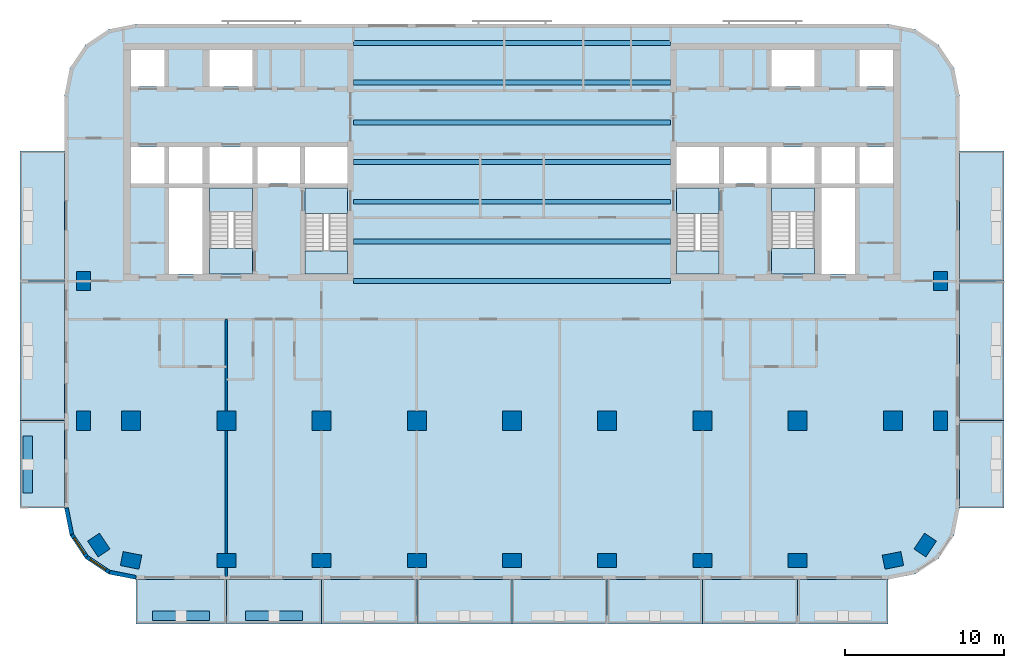
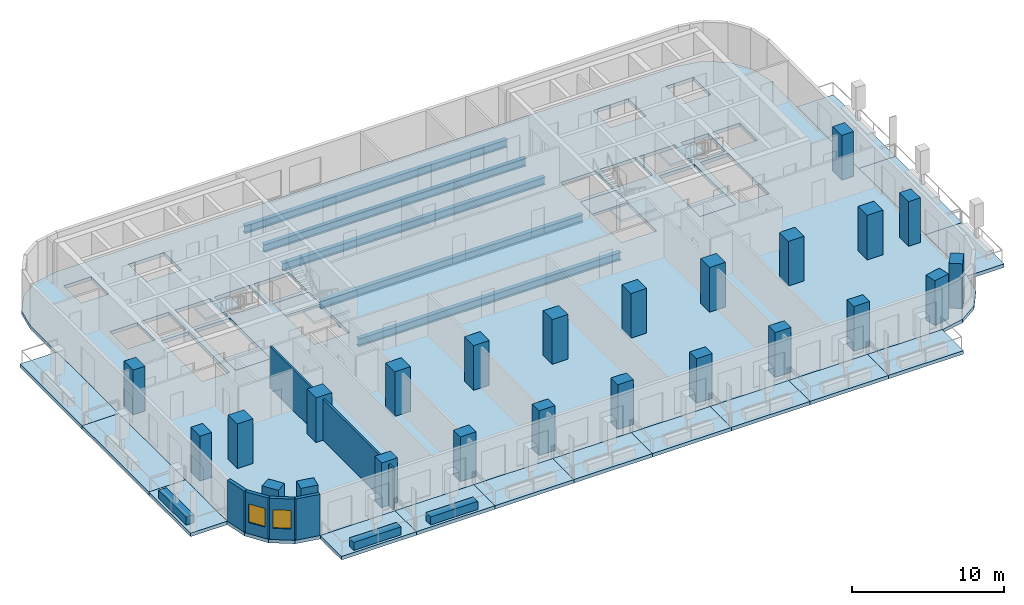
# One storey, part 1 of 11: 24 columns, 23 slabs, 8 walls, 7 beams, 2 windows, 2 openings, 4 elements without a shape of their own.
"""IFC4 building model written with IfcOpenShell, lengths in metres."""

from ifc_helpers import new_model, si_unit, direction, frame, frame_2d, origin, origin_2d, place, context, subcontext, project, spatial, polyline, rectangle, i_section, outline, extrude, material, layer, layer_set, material_profile, profile_set, type_object, element, fill, aggregate, save


model = new_model("IFC4")

# Units and contexts
model_context = context("Model", 3, precision=1e-05, world=origin(), true_north=direction((0.0, 1.0)))
body_context = subcontext(model_context, "Body", "Model", "MODEL_VIEW")
ifc_project = project(units=[si_unit("LENGTHUNIT", "METRE"), si_unit("AREAUNIT", "SQUARE_METRE"), si_unit("VOLUMEUNIT", "CUBIC_METRE"), si_unit("PLANEANGLEUNIT", "RADIAN"), si_unit("MASSUNIT", "GRAM", prefix="KILO")], contexts=[model_context])

# Site, building, storey
site_placement = place(None, origin())
site = spatial("IfcSite", under=ifc_project, at=site_placement, CompositionType="ELEMENT")
building_placement = place(site_placement, origin())
building = spatial("IfcBuilding", under=site, at=building_placement, Name="Torana Hotel and Residences", CompositionType="ELEMENT")
storey_placement = place(building_placement, frame((0.0, 0.0, 134.39990234375)))
storey = spatial("IfcBuildingStorey", under=building, at=storey_placement, Name="L34", CompositionType="ELEMENT", Elevation=134.39990234375)

# Columns
ifc_material_1 = material(Name="Concrete C70/85", Category="concrete")
ifc_material_profile_1 = material_profile(ifc_material_1, rectangle(XDim=1.199951171875, YDim=1.199951171875, at=origin_2d()), Name="RC 1200x1200")
ifc_profile_set_1 = profile_set([ifc_material_profile_1], Name="Concrete C70/85")
column_type_1 = type_object("IfcColumnType", Name="COLUMN RC 1200x1200 C70/85", PredefinedType="COLUMN", material=ifc_profile_set_1)
for number, where, z_axis, x_axis, name in (
    (1, (-24.0, -23.800048828125, 0.0), (0.0, 0.0, 1.0), (1.0, 0.0, 0.0), "Column L34"),
    (2, (-18.0, -23.800048828125, 0.0), (0.0, 0.0, 1.0), (1.0, 0.0, 0.0), "Column L34"),
    (3, (-12.0, -23.800048828125, 0.0), (0.0, 0.0, 1.0), (1.0, 0.0, 0.0), "Column L34"),
    (4, (-6.0, -23.800048828125, 0.0), (0.0, 0.0, 1.0), (1.0, 0.0, 0.0), "Column L34"),
    (5, (0.0, -23.800048828125, 0.0), (0.0, 0.0, 1.0), (1.0, 0.0, 0.0), "Column L34"),
    (6, (6.0, -23.800048828125, 0.0), (0.0, 0.0, 1.0), (1.0, 0.0, 0.0), "Column L34"),
    (7, (12.0, -23.800048828125, 0.0), (0.0, 0.0, 1.0), (1.0, 0.0, 0.0), "Column L34"),
    (8, (18.0, -23.800048828125, 0.0), (0.0, 0.0, 1.0), (1.0, 0.0, 0.0), "Column L34"),
    (9, (24.0, -23.800048828125, 0.0), (0.0, 0.0, 1.0), (1.0, 0.0, 0.0), "Column L34"),
):
    element("IfcColumn", number, at=place(storey_placement, frame(where, z_axis=z_axis, x_axis=x_axis)), inside=storey, type_object=column_type_1, Name=name, PredefinedType="COLUMN", context=body_context, shape_type="SweptSolid", body=[
        extrude(rectangle(XDim=1.199951171875, YDim=1.199951171875, at=origin_2d()), origin(), (0.0, 0.0, 1.0), 3.60009765625),
    ])
ifc_material_2 = material(Name="Concrete C70/85", Category="concrete")
ifc_material_profile_2 = material_profile(ifc_material_2, rectangle(XDim=1.199951171875, YDim=0.89990234375, at=origin_2d()), Name="RC 1200x900")
ifc_profile_set_2 = profile_set([ifc_material_profile_2], Name="Concrete C70/85")
column_type_2 = type_object("IfcColumnType", Name="COLUMN RC 1200x900 C70/85", PredefinedType="COLUMN", material=ifc_profile_set_2)
for number, where, z_axis, x_axis, name in (
    (10, (-27.0, -23.800048828125, 0.0), (0.0, 0.0, 1.0), (0.0, 1.0, 0.0), "Column L34"),
    (11, (-27.0, -15.0, 0.0), (0.0, 0.0, 1.0), (0.0, 1.0, 0.0), "Column L34"),
    (12, (-26.032958984375, -31.633056640625, 0.0), (0.0, 0.0, 1.0), (-0.555584744817, 0.831459915646, 0.0), "Column L34"),
    (13, (-24.0, -32.60009765625, 0.0), (0.0, 0.0, 1.0), (-0.980792089743, 0.195056086032, 0.0), "Column L34"),
    (14, (-18.0, -32.60009765625, 0.0), (0.0, 0.0, 1.0), (1.0, 0.0, 0.0), "Column L34"),
    (15, (-12.0, -32.60009765625, 0.0), (0.0, 0.0, 1.0), (1.0, 0.0, 0.0), "Column L34"),
    (16, (-6.0, -32.60009765625, 0.0), (0.0, 0.0, 1.0), (1.0, 0.0, 0.0), "Column L34"),
    (17, (0.0, -32.60009765625, 0.0), (0.0, 0.0, 1.0), (1.0, 0.0, 0.0), "Column L34"),
    (18, (6.0, -32.60009765625, 0.0), (0.0, 0.0, 1.0), (1.0, 0.0, 0.0), "Column L34"),
    (19, (12.0, -32.60009765625, 0.0), (0.0, 0.0, 1.0), (1.0, 0.0, 0.0), "Column L34"),
    (20, (18.0, -32.60009765625, 0.0), (0.0, 0.0, 1.0), (1.0, 0.0, 0.0), "Column L34"),
    (21, (24.0, -32.60009765625, 0.0), (0.0, 0.0, 1.0), (0.980792089743, 0.195056086032, 0.0), "Column L34"),
    (22, (26.032958984375, -31.633056640625, 0.0), (0.0, 0.0, 1.0), (0.555584744817, 0.831459915646, 0.0), "Column L34"),
    (23, (27.0, -23.800048828125, 0.0), (0.0, 0.0, 1.0), (0.0, 1.0, 0.0), "Column L34"),
    (24, (27.0, -15.0, 0.0), (0.0, 0.0, 1.0), (0.0, 1.0, 0.0), "Column L34"),
):
    element("IfcColumn", number, at=place(storey_placement, frame(where, z_axis=z_axis, x_axis=x_axis)), inside=storey, type_object=column_type_2, Name=name, PredefinedType="COLUMN", context=body_context, shape_type="SweptSolid", body=[
        extrude(rectangle(XDim=1.199951171875, YDim=0.89990234375, at=origin_2d()), origin(), (0.0, 0.0, 1.0), 3.60009765625),
    ])

# Beams
ifc_material_3 = material(Name="Steel S355", Category="steel")
ifc_material_profile_3 = material_profile(ifc_material_3, i_section(OverallWidth=0.311279296875, OverallDepth=0.6357421875, WebThickness=0.018310546875, FlangeThickness=0.031494140625, FilletRadius=0.0166015625, at=origin_2d()), Name="610x305x238 UB")
ifc_profile_set_3 = profile_set([ifc_material_profile_3], Name="Steel S355")
beam_type = type_object("IfcBeamType", Name="STEEL GIRDER 610x305x238 UB", PredefinedType="BEAM", material=ifc_profile_set_3)
for number, where, z_axis, x_axis, name in (
    (25, (-10.0, -15.0, -0.597900390625), (1.0, 0.0, 0.0), (0.0, 1.0, 0.0), "Floor girder"),
    (26, (-10.0, -12.5, -0.597900390625), (1.0, 0.0, 0.0), (0.0, 1.0, 0.0), "Floor girder"),
    (27, (-10.0, -10.0, -0.597900390625), (1.0, 0.0, 0.0), (0.0, 1.0, 0.0), "Floor girder"),
    (28, (-10.0, -7.5, -0.597900390625), (1.0, 0.0, 0.0), (0.0, 1.0, 0.0), "Floor girder"),
    (29, (-10.0, -5.0, -0.597900390625), (1.0, 0.0, 0.0), (0.0, 1.0, 0.0), "Floor girder"),
    (30, (-10.0, -2.5, -0.597900390625), (1.0, 0.0, 0.0), (0.0, 1.0, 0.0), "Floor girder"),
    (31, (-10.0, 0.0, -0.597900390625), (1.0, 0.0, 0.0), (0.0, 1.0, 0.0), "Floor girder"),
):
    element("IfcBeam", number, at=place(storey_placement, frame(where, z_axis=z_axis, x_axis=x_axis)), inside=storey, type_object=beam_type, Name=name, PredefinedType="BEAM", context=body_context, shape_type="SweptSolid", body=[
        extrude(i_section(OverallWidth=0.311279296875, OverallDepth=0.6357421875, WebThickness=0.018310546875, FlangeThickness=0.031494140625, FilletRadius=0.0166015625, at=origin_2d()), origin(), (0.0, 0.0, 1.0), 20.0),
    ])

# Slabs
ifc_material_4 = material(Name="Concrete C40/50", Category="concrete")
ifc_layer_1 = layer(ifc_material_4, 0.280029296875)
ifc_layer_set_1 = layer_set([ifc_layer_1], Name="BAL1 BALCONY SLAB 280")
slab_type_1 = type_object("IfcSlabType", Name="BAL1 BALCONY SLAB 280", PredefinedType="USERDEFINED", material=ifc_layer_set_1)
slab_1_placement = place(storey_placement, frame((0.0, 0.0, -0.27978515625)))
element("IfcSlab", 32, at=slab_1_placement, inside=storey, type_object=slab_type_1, Name="Balcony 01", ObjectType="BALCONY", PredefinedType="USERDEFINED", context=body_context, shape_type="SweptSolid", body=[
    extrude(outline(polyline([(-23.699951171875, -36.60009765625), (-18.0, -36.60009765625), (-18.0, -33.800048828125), (-23.699951171875, -33.800048828125), (-23.699951171875, -36.60009765625)])), origin(), (0.0, 0.0, 1.0), 0.27978515625),
])
slab_2_placement = place(storey_placement, frame((0.0, 0.0, -0.27978515625)))
element("IfcSlab", 33, at=slab_2_placement, inside=storey, type_object=slab_type_1, Name="Balcony 02", ObjectType="BALCONY", PredefinedType="USERDEFINED", context=body_context, shape_type="SweptSolid", body=[
    extrude(outline(polyline([(-18.0, -36.60009765625), (-12.0, -36.60009765625), (-12.0, -33.800048828125), (-18.0, -33.800048828125), (-18.0, -36.60009765625)])), origin(), (0.0, 0.0, 1.0), 0.27978515625),
])
slab_3_placement = place(storey_placement, frame((0.0, 0.0, -0.27978515625)))
element("IfcSlab", 34, at=slab_3_placement, inside=storey, type_object=slab_type_1, Name="Balcony 03", ObjectType="BALCONY", PredefinedType="USERDEFINED", context=body_context, shape_type="SweptSolid", body=[
    extrude(outline(polyline([(-12.0, -36.60009765625), (-6.0, -36.60009765625), (-6.0, -33.800048828125), (-12.0, -33.800048828125), (-12.0, -36.60009765625)])), origin(), (0.0, 0.0, 1.0), 0.27978515625),
])
slab_4_placement = place(storey_placement, frame((0.0, 0.0, -0.27978515625)))
element("IfcSlab", 35, at=slab_4_placement, inside=storey, type_object=slab_type_1, Name="Balcony 04", ObjectType="BALCONY", PredefinedType="USERDEFINED", context=body_context, shape_type="SweptSolid", body=[
    extrude(outline(polyline([(-6.0, -36.60009765625), (0.0, -36.60009765625), (0.0, -33.800048828125), (-6.0, -33.800048828125), (-6.0, -36.60009765625)])), origin(), (0.0, 0.0, 1.0), 0.27978515625),
])
slab_5_placement = place(storey_placement, frame((0.0, 0.0, -0.27978515625)))
element("IfcSlab", 36, at=slab_5_placement, inside=storey, type_object=slab_type_1, Name="Balcony 05", ObjectType="BALCONY", PredefinedType="USERDEFINED", context=body_context, shape_type="SweptSolid", body=[
    extrude(outline(polyline([(0.0, -36.60009765625), (6.0, -36.60009765625), (6.0, -33.800048828125), (0.0, -33.800048828125), (0.0, -36.60009765625)])), origin(), (0.0, 0.0, 1.0), 0.27978515625),
])
slab_6_placement = place(storey_placement, frame((0.0, 0.0, -0.27978515625)))
element("IfcSlab", 37, at=slab_6_placement, inside=storey, type_object=slab_type_1, Name="Balcony 06", ObjectType="BALCONY", PredefinedType="USERDEFINED", context=body_context, shape_type="SweptSolid", body=[
    extrude(outline(polyline([(6.0, -36.60009765625), (12.0, -36.60009765625), (12.0, -33.800048828125), (6.0, -33.800048828125), (6.0, -36.60009765625)])), origin(), (0.0, 0.0, 1.0), 0.27978515625),
])
slab_7_placement = place(storey_placement, frame((0.0, 0.0, -0.27978515625)))
element("IfcSlab", 38, at=slab_7_placement, inside=storey, type_object=slab_type_1, Name="Balcony 07", ObjectType="BALCONY", PredefinedType="USERDEFINED", context=body_context, shape_type="SweptSolid", body=[
    extrude(outline(polyline([(12.0, -36.60009765625), (18.0, -36.60009765625), (18.0, -33.800048828125), (12.0, -33.800048828125), (12.0, -36.60009765625)])), origin(), (0.0, 0.0, 1.0), 0.27978515625),
])
slab_8_placement = place(storey_placement, frame((0.0, 0.0, -0.27978515625)))
element("IfcSlab", 39, at=slab_8_placement, inside=storey, type_object=slab_type_1, Name="Balcony 08", ObjectType="BALCONY", PredefinedType="USERDEFINED", context=body_context, shape_type="SweptSolid", body=[
    extrude(outline(polyline([(18.0, -36.60009765625), (23.699951171875, -36.60009765625), (23.699951171875, -33.800048828125), (18.0, -33.800048828125), (18.0, -36.60009765625)])), origin(), (0.0, 0.0, 1.0), 0.27978515625),
])
slab_9_placement = place(storey_placement, frame((0.0, 0.0, -0.27978515625)))
element("IfcSlab", 40, at=slab_9_placement, inside=storey, type_object=slab_type_1, Name="Balcony 09", ObjectType="BALCONY", PredefinedType="USERDEFINED", context=body_context, shape_type="SweptSolid", body=[
    extrude(outline(polyline([(-31.0, -29.300048828125), (-28.199951171875, -29.300048828125), (-28.199951171875, -23.800048828125), (-31.0, -23.800048828125), (-31.0, -29.300048828125)])), origin(), (0.0, 0.0, 1.0), 0.27978515625),
])
slab_10_placement = place(storey_placement, frame((0.0, 0.0, -0.27978515625)))
element("IfcSlab", 41, at=slab_10_placement, inside=storey, type_object=slab_type_1, Name="Balcony 10", ObjectType="BALCONY", PredefinedType="USERDEFINED", context=body_context, shape_type="SweptSolid", body=[
    extrude(outline(polyline([(-31.0, -23.800048828125), (-28.199951171875, -23.800048828125), (-28.199951171875, -15.0), (-31.0, -15.0), (-31.0, -23.800048828125)])), origin(), (0.0, 0.0, 1.0), 0.27978515625),
])
slab_11_placement = place(storey_placement, frame((0.0, 0.0, -0.27978515625)))
element("IfcSlab", 42, at=slab_11_placement, inside=storey, type_object=slab_type_1, Name="Balcony 11", ObjectType="BALCONY", PredefinedType="USERDEFINED", context=body_context, shape_type="SweptSolid", body=[
    extrude(outline(polyline([(-31.0, -15.0), (-28.199951171875, -15.0), (-28.199951171875, -6.800048828125), (-31.0, -6.800048828125), (-31.0, -15.0)])), origin(), (0.0, 0.0, 1.0), 0.27978515625),
])
slab_12_placement = place(storey_placement, frame((0.0, 0.0, -0.27978515625)))
element("IfcSlab", 43, at=slab_12_placement, inside=storey, type_object=slab_type_1, Name="Balcony 12", ObjectType="BALCONY", PredefinedType="USERDEFINED", context=body_context, shape_type="SweptSolid", body=[
    extrude(outline(polyline([(28.199951171875, -29.300048828125), (31.0, -29.300048828125), (31.0, -23.800048828125), (28.199951171875, -23.800048828125), (28.199951171875, -29.300048828125)])), origin(), (0.0, 0.0, 1.0), 0.27978515625),
])
slab_13_placement = place(storey_placement, frame((0.0, 0.0, -0.27978515625)))
element("IfcSlab", 44, at=slab_13_placement, inside=storey, type_object=slab_type_1, Name="Balcony 13", ObjectType="BALCONY", PredefinedType="USERDEFINED", context=body_context, shape_type="SweptSolid", body=[
    extrude(outline(polyline([(28.199951171875, -23.800048828125), (31.0, -23.800048828125), (31.0, -15.0), (28.199951171875, -15.0), (28.199951171875, -23.800048828125)])), origin(), (0.0, 0.0, 1.0), 0.27978515625),
])
slab_14_placement = place(storey_placement, frame((0.0, 0.0, -0.27978515625)))
element("IfcSlab", 45, at=slab_14_placement, inside=storey, type_object=slab_type_1, Name="Balcony 14", ObjectType="BALCONY", PredefinedType="USERDEFINED", context=body_context, shape_type="SweptSolid", body=[
    extrude(outline(polyline([(28.199951171875, -15.0), (31.0, -15.0), (31.0, -6.800048828125), (28.199951171875, -6.800048828125), (28.199951171875, -15.0)])), origin(), (0.0, 0.0, 1.0), 0.27978515625),
])
ifc_material_5 = material(Name="Concrete C40/50", Category="concrete")
ifc_layer_2 = layer(ifc_material_5, 0.280029296875)
ifc_layer_set_2 = layer_set([ifc_layer_2], Name="FLOOR SLAB PT 280")
slab_type_2 = type_object("IfcSlabType", Name="FLOOR SLAB PT 280", PredefinedType="FLOOR", material=ifc_layer_set_2)
slab_15_placement = place(storey_placement, frame((0.0, 0.0, -0.27978515625)))
element("IfcSlab", 46, at=slab_15_placement, inside=storey, type_object=slab_type_2, Name="Floor slab", PredefinedType="FLOOR", context=body_context, shape_type="SweptSolid", body=[
    extrude(outline(polyline([(28.199951171875, -3.300048828125), (27.857421875, -1.577880859375), (26.882080078125, -0.117919921875), (25.422119140625, 0.857421875), (23.699951171875, 1.199951171875), (-23.699951171875, 1.199951171875), (-25.422119140625, 0.857421875), (-26.882080078125, -0.117919921875), (-27.857421875, -1.577880859375), (-28.199951171875, -3.300048828125), (-28.199951171875, -29.300048828125), (-27.857421875, -31.022216796875), (-26.882080078125, -32.48193359375), (-25.422119140625, -33.45751953125), (-23.699951171875, -33.800048828125), (23.699951171875, -33.800048828125), (25.422119140625, -33.45751953125), (26.882080078125, -32.48193359375), (27.857421875, -31.022216796875), (28.199951171875, -29.300048828125), (28.199951171875, -3.300048828125)]), holes=[polyline([(-13.050048828125, -14.550048828125), (-10.35009765625, -14.550048828125), (-10.35009765625, -9.14990234375), (-13.050048828125, -9.14990234375), (-13.050048828125, -14.550048828125)]), polyline([(-19.050048828125, -14.550048828125), (-16.35009765625, -14.550048828125), (-16.35009765625, -9.14990234375), (-19.050048828125, -9.14990234375), (-19.050048828125, -14.550048828125)]), polyline([(-19.050048828125, -2.75), (-16.35009765625, -2.75), (-16.35009765625, -0.449951171875), (-19.050048828125, -0.449951171875), (-19.050048828125, -2.75)]), polyline([(-21.60009765625, -8.85009765625), (-19.5, -8.85009765625), (-19.5, -6.550048828125), (-21.60009765625, -6.550048828125), (-21.60009765625, -8.85009765625)]), polyline([(-24.0, -2.75), (-21.89990234375, -2.75), (-21.89990234375, -0.449951171875), (-24.0, -0.449951171875), (-24.0, -2.75)]), polyline([(-24.0, -8.85009765625), (-21.89990234375, -8.85009765625), (-21.89990234375, -6.550048828125), (-24.0, -6.550048828125), (-24.0, -8.85009765625)]), polyline([(-13.050048828125, -8.85009765625), (-10.35009765625, -8.85009765625), (-10.35009765625, -6.550048828125), (-13.050048828125, -6.550048828125), (-13.050048828125, -8.85009765625)]), polyline([(-16.050048828125, -8.85009765625), (-13.35009765625, -8.85009765625), (-13.35009765625, -6.550048828125), (-16.050048828125, -6.550048828125), (-16.050048828125, -8.85009765625)]), polyline([(-19.050048828125, -8.85009765625), (-16.35009765625, -8.85009765625), (-16.35009765625, -6.550048828125), (-19.050048828125, -6.550048828125), (-19.050048828125, -8.85009765625)]), polyline([(-21.60009765625, -14.550048828125), (-19.5, -14.550048828125), (-19.5, -9.14990234375), (-21.60009765625, -9.14990234375), (-21.60009765625, -14.550048828125)]), polyline([(10.35009765625, -14.550048828125), (13.050048828125, -14.550048828125), (13.050048828125, -9.14990234375), (10.35009765625, -9.14990234375), (10.35009765625, -14.550048828125)]), polyline([(16.35009765625, -14.550048828125), (19.050048828125, -14.550048828125), (19.050048828125, -9.14990234375), (16.35009765625, -9.14990234375), (16.35009765625, -14.550048828125)]), polyline([(16.35009765625, -2.75), (19.050048828125, -2.75), (19.050048828125, -0.449951171875), (16.35009765625, -0.449951171875), (16.35009765625, -2.75)]), polyline([(19.5, -8.85009765625), (21.60009765625, -8.85009765625), (21.60009765625, -6.550048828125), (19.5, -6.550048828125), (19.5, -8.85009765625)]), polyline([(21.89990234375, -2.75), (24.0, -2.75), (24.0, -0.449951171875), (21.89990234375, -0.449951171875), (21.89990234375, -2.75)]), polyline([(21.89990234375, -8.85009765625), (24.0, -8.85009765625), (24.0, -6.550048828125), (21.89990234375, -6.550048828125), (21.89990234375, -8.85009765625)]), polyline([(10.35009765625, -8.85009765625), (13.050048828125, -8.85009765625), (13.050048828125, -6.550048828125), (10.35009765625, -6.550048828125), (10.35009765625, -8.85009765625)]), polyline([(13.35009765625, -8.85009765625), (16.050048828125, -8.85009765625), (16.050048828125, -6.550048828125), (13.35009765625, -6.550048828125), (13.35009765625, -8.85009765625)]), polyline([(16.35009765625, -8.85009765625), (19.050048828125, -8.85009765625), (19.050048828125, -6.550048828125), (16.35009765625, -6.550048828125), (16.35009765625, -8.85009765625)]), polyline([(19.5, -14.550048828125), (21.60009765625, -14.550048828125), (21.60009765625, -9.14990234375), (19.5, -9.14990234375), (19.5, -14.550048828125)])]), origin(), (0.0, 0.0, 1.0), 0.27978515625),
])

# Stair, slabs
ifc_material_6 = material(Name="Concrete C40/50 precast", Category="concrete")
stair_type_1 = type_object("IfcStairType", Name="STAIR ST1 HALF TURN 1200", PredefinedType="HALF_TURN_STAIR", material=ifc_material_6)
stair_1_placement = place(storey_placement, origin())
stair_1 = element("IfcStair", 47, at=stair_1_placement, inside=storey, type_object=stair_type_1, Name="Stair ST1 L34", PredefinedType="HALF_TURN_STAIR")
ifc_material_7 = material(Name="Concrete C40/50 precast", Category="concrete")
ifc_layer_3 = layer(ifc_material_7, 0.199951171875)
ifc_layer_set_3 = layer_set([ifc_layer_3], Name="STAIR LANDING 200")
slab_type_3 = type_object("IfcSlabType", Name="STAIR LANDING 200", PredefinedType="LANDING", material=ifc_layer_set_3)
slab_16_placement = place(storey_placement, frame((0.0, 0.0, 1.60009765625)))
slab_16 = element("IfcSlab", 48, at=slab_16_placement, type_object=slab_type_3, Name="ST1 landing 1", PredefinedType="LANDING", context=body_context, shape_type="SweptSolid", body=[
    extrude(outline(polyline([(-13.050048828125, -14.550048828125), (-10.35009765625, -14.550048828125), (-10.35009765625, -13.090087890625), (-13.050048828125, -13.090087890625), (-13.050048828125, -14.550048828125)])), origin(), (0.0, 0.0, 1.0), 0.199951171875),
])
slab_17_placement = place(storey_placement, frame((0.0, 0.0, -0.199951171875)))
slab_17 = element("IfcSlab", 49, at=slab_17_placement, type_object=slab_type_3, Name="ST1 landing 2", PredefinedType="LANDING", context=body_context, shape_type="SweptSolid", body=[
    extrude(outline(polyline([(-13.050048828125, -10.75), (-10.35009765625, -10.75), (-10.35009765625, -9.14990234375), (-13.050048828125, -9.14990234375), (-13.050048828125, -10.75)])), origin(), (0.0, 0.0, 1.0), 0.199951171875),
])
aggregate(stair_1, [slab_16, slab_17])

ifc_material_8 = material(Name="Concrete C40/50 precast", Category="concrete")
stair_type_2 = type_object("IfcStairType", Name="STAIR ST2 HALF TURN 1200", PredefinedType="HALF_TURN_STAIR", material=ifc_material_8)
stair_2_placement = place(storey_placement, origin())
stair_2 = element("IfcStair", 50, at=stair_2_placement, inside=storey, type_object=stair_type_2, Name="Stair ST2 L34", PredefinedType="HALF_TURN_STAIR")
slab_18_placement = place(storey_placement, frame((0.0, 0.0, 1.60009765625)))
slab_18 = element("IfcSlab", 51, at=slab_18_placement, type_object=slab_type_3, Name="ST2 landing 1", PredefinedType="LANDING", context=body_context, shape_type="SweptSolid", body=[
    extrude(outline(polyline([(-19.050048828125, -10.610107421875), (-16.35009765625, -10.610107421875), (-16.35009765625, -9.14990234375), (-19.050048828125, -9.14990234375), (-19.050048828125, -10.610107421875)])), origin(), (0.0, 0.0, 1.0), 0.199951171875),
])
slab_19_placement = place(storey_placement, frame((0.0, 0.0, -0.199951171875)))
slab_19 = element("IfcSlab", 52, at=slab_19_placement, type_object=slab_type_3, Name="ST2 landing 2", PredefinedType="LANDING", context=body_context, shape_type="SweptSolid", body=[
    extrude(outline(polyline([(-19.050048828125, -14.550048828125), (-16.35009765625, -14.550048828125), (-16.35009765625, -12.949951171875), (-19.050048828125, -12.949951171875), (-19.050048828125, -14.550048828125)])), origin(), (0.0, 0.0, 1.0), 0.199951171875),
])
aggregate(stair_2, [slab_18, slab_19])

ifc_material_9 = material(Name="Concrete C40/50 precast", Category="concrete")
stair_type_3 = type_object("IfcStairType", Name="STAIR ST3 HALF TURN 1200", PredefinedType="HALF_TURN_STAIR", material=ifc_material_9)
stair_3_placement = place(storey_placement, origin())
stair_3 = element("IfcStair", 53, at=stair_3_placement, inside=storey, type_object=stair_type_3, Name="Stair ST3 L34", PredefinedType="HALF_TURN_STAIR")
slab_20_placement = place(storey_placement, frame((0.0, 0.0, 1.60009765625)))
slab_20 = element("IfcSlab", 54, at=slab_20_placement, type_object=slab_type_3, Name="ST3 landing 1", PredefinedType="LANDING", context=body_context, shape_type="SweptSolid", body=[
    extrude(outline(polyline([(10.35009765625, -14.550048828125), (13.050048828125, -14.550048828125), (13.050048828125, -13.090087890625), (10.35009765625, -13.090087890625), (10.35009765625, -14.550048828125)])), origin(), (0.0, 0.0, 1.0), 0.199951171875),
])
slab_21_placement = place(storey_placement, frame((0.0, 0.0, -0.199951171875)))
slab_21 = element("IfcSlab", 55, at=slab_21_placement, type_object=slab_type_3, Name="ST3 landing 2", PredefinedType="LANDING", context=body_context, shape_type="SweptSolid", body=[
    extrude(outline(polyline([(10.35009765625, -10.75), (13.050048828125, -10.75), (13.050048828125, -9.14990234375), (10.35009765625, -9.14990234375), (10.35009765625, -10.75)])), origin(), (0.0, 0.0, 1.0), 0.199951171875),
])
aggregate(stair_3, [slab_20, slab_21])

ifc_material_10 = material(Name="Concrete C40/50 precast", Category="concrete")
stair_type_4 = type_object("IfcStairType", Name="STAIR ST4 HALF TURN 1200", PredefinedType="HALF_TURN_STAIR", material=ifc_material_10)
stair_4_placement = place(storey_placement, origin())
stair_4 = element("IfcStair", 56, at=stair_4_placement, inside=storey, type_object=stair_type_4, Name="Stair ST4 L34", PredefinedType="HALF_TURN_STAIR")
slab_22_placement = place(storey_placement, frame((0.0, 0.0, 1.60009765625)))
slab_22 = element("IfcSlab", 57, at=slab_22_placement, type_object=slab_type_3, Name="ST4 landing 1", PredefinedType="LANDING", context=body_context, shape_type="SweptSolid", body=[
    extrude(outline(polyline([(16.35009765625, -10.610107421875), (19.050048828125, -10.610107421875), (19.050048828125, -9.14990234375), (16.35009765625, -9.14990234375), (16.35009765625, -10.610107421875)])), origin(), (0.0, 0.0, 1.0), 0.199951171875),
])
slab_23_placement = place(storey_placement, frame((0.0, 0.0, -0.199951171875)))
slab_23 = element("IfcSlab", 58, at=slab_23_placement, type_object=slab_type_3, Name="ST4 landing 2", PredefinedType="LANDING", context=body_context, shape_type="SweptSolid", body=[
    extrude(outline(polyline([(16.35009765625, -14.550048828125), (19.050048828125, -14.550048828125), (19.050048828125, -12.949951171875), (16.35009765625, -12.949951171875), (16.35009765625, -14.550048828125)])), origin(), (0.0, 0.0, 1.0), 0.199951171875),
])
aggregate(stair_4, [slab_22, slab_23])

# Wall
ifc_material_11 = material(Name="Black aluminium composite panel", Category="aluminium")
ifc_layer_4 = layer(ifc_material_11, 0.00390625, Name="Cladding", Category="cladding")
ifc_material_12 = material(Name="Ventilated air cavity")
ifc_layer_5 = layer(ifc_material_12, 0.0400390625, Name="Ventilated cavity", Category="cavity")
ifc_material_13 = material(Name="Mineral wool insulation")
ifc_layer_6 = layer(ifc_material_13, 0.090087890625, Name="Insulation", Category="insulation")
ifc_material_14 = material(Name="Steel S280GD", Category="steel")
ifc_layer_7 = layer(ifc_material_14, 0.092041015625, Name="Steel stud frame", Category="structure")
ifc_material_15 = material(Name="Fire rated plasterboard")
ifc_layer_8 = layer(ifc_material_15, 0.011962890625, Name="Inner board", Category="finish")
ifc_layer_9 = layer(ifc_material_15, 0.011962890625, Name="Second board", Category="finish")
ifc_layer_set_4 = layer_set([ifc_layer_4, ifc_layer_5, ifc_layer_6, ifc_layer_7, ifc_layer_8, ifc_layer_9], Name="EW1 EXTERNAL WALL BLACK METAL CLAD 250")
wall_type_1 = type_object("IfcWallType", Name="EW1 EXTERNAL WALL BLACK METAL CLAD 250", PredefinedType="SOLIDWALL", material=ifc_layer_set_4)
wall_1_placement = place(storey_placement, frame((-28.072509765625, -29.2998046875, 0.0), z_axis=(0.0, 0.0, 1.0), x_axis=(0.194999110559, -0.980803419081, 0.0)))
element("IfcWall", 59, at=wall_1_placement, inside=storey, type_object=wall_type_1, Name="External wall L34 e0.10", PredefinedType="SOLIDWALL", context=body_context, shape_type="SweptSolid", body=[
    extrude(rectangle(XDim=1.681396484375, YDim=0.25, at=frame_2d((0.8408203125, 0.0))), origin(), (0.0, 0.0, 1.0), 3.320068359375),
])

# Wall, opening, window
wall_2_placement = place(storey_placement, frame((-27.725830078125, -30.993896484375, 0.0), z_axis=(0.0, 0.0, 1.0), x_axis=(0.55555029066, -0.831482937015, 0.0)))
wall_2 = element("IfcWall", 60, at=wall_2_placement, inside=storey, type_object=wall_type_1, Name="External wall L34 e0.11", PredefinedType="SOLIDWALL", context=body_context, shape_type="SweptSolid", body=[
    extrude(rectangle(XDim=1.65625, YDim=0.25, at=frame_2d((0.828125, 0.0))), origin(), (0.0, 0.0, 1.0), 3.320068359375),
])
opening_1_placement = place(wall_2_placement, frame((0.228271484375, 0.0, 0.89990234375)))
opening_1 = element("IfcOpeningElement", 61, at=opening_1_placement, cuts=wall_2, Name="Opening W5", PredefinedType="OPENING", context=body_context, shape_type="SweptSolid", body=[
    extrude(rectangle(XDim=1.199951171875, YDim=1.5, at=frame_2d((0.60009765625, 0.75))), frame((0.0, 0.135009765625, 0.0), z_axis=(0.0, -1.0, 0.0), x_axis=(1.0, 0.0, 0.0)), (0.0, 0.0, 1.0), 0.27001953125),
])
ifc_material_16 = material(Name="Dark glass in black aluminium frame", Category="aluminium")
window_type = type_object("IfcWindowType", Name="W5 CORNER FACET WINDOW 1200x1500", PartitioningType="SINGLE_PANEL", PredefinedType="WINDOW", material=ifc_material_16)
window_1_placement = place(opening_1_placement, origin())
window_1 = element("IfcWindow", 62, at=window_1_placement, inside=storey, type_object=window_type, Name="Window L34 e0.11", OverallHeight=1.5, OverallWidth=1.199951171875, PartitioningType="SINGLE_PANEL", PredefinedType="WINDOW", context=body_context, shape_type="SweptSolid", body=[
    extrude(rectangle(XDim=1.199951171875, YDim=1.5, at=frame_2d((0.60009765625, 0.75))), frame((0.0, 0.030029296875, 0.0), z_axis=(0.0, -1.0, 0.0), x_axis=(1.0, 0.0, 0.0)), (0.0, 0.0, 1.0), 0.06005859375),
])
fill(opening_1, window_1)

wall_3_placement = place(storey_placement, frame((-26.771240234375, -32.40576171875, 0.0), z_axis=(0.0, 0.0, 1.0), x_axis=(0.831482937015, -0.55555029066, 0.0)))
wall_3 = element("IfcWall", 63, at=wall_3_placement, inside=storey, type_object=wall_type_1, Name="External wall L34 e0.12", PredefinedType="SOLIDWALL", context=body_context, shape_type="SweptSolid", body=[
    extrude(rectangle(XDim=1.65625, YDim=0.25, at=frame_2d((0.828125, 0.0))), origin(), (0.0, 0.0, 1.0), 3.320068359375),
])
opening_2_placement = place(wall_3_placement, frame((0.228271484375, 0.0, 0.89990234375)))
opening_2 = element("IfcOpeningElement", 64, at=opening_2_placement, cuts=wall_3, Name="Opening W5", PredefinedType="OPENING", context=body_context, shape_type="SweptSolid", body=[
    extrude(rectangle(XDim=1.199951171875, YDim=1.5, at=frame_2d((0.60009765625, 0.75))), frame((0.0, 0.135009765625, 0.0), z_axis=(0.0, -1.0, 0.0), x_axis=(1.0, 0.0, 0.0)), (0.0, 0.0, 1.0), 0.27001953125),
])
window_2_placement = place(opening_2_placement, origin())
window_2 = element("IfcWindow", 65, at=window_2_placement, inside=storey, type_object=window_type, Name="Window L34 e0.12", OverallHeight=1.5, OverallWidth=1.199951171875, PartitioningType="SINGLE_PANEL", PredefinedType="WINDOW", context=body_context, shape_type="SweptSolid", body=[
    extrude(rectangle(XDim=1.199951171875, YDim=1.5, at=frame_2d((0.60009765625, 0.75))), frame((0.0, 0.030029296875, 0.0), z_axis=(0.0, -1.0, 0.0), x_axis=(1.0, 0.0, 0.0)), (0.0, 0.0, 1.0), 0.06005859375),
])
fill(opening_2, window_2)

# Walls
wall_4_placement = place(storey_placement, frame((-25.348876953125, -33.344482421875, 0.0), z_axis=(0.0, 0.0, 1.0), x_axis=(0.980775640221, -0.19513878023, 0.0)))
element("IfcWall", 66, at=wall_4_placement, inside=storey, type_object=wall_type_1, Name="External wall L34 e0.13", PredefinedType="SOLIDWALL", context=body_context, shape_type="SweptSolid", body=[
    extrude(rectangle(XDim=1.681396484375, YDim=0.25, at=frame_2d((0.8408203125, 0.0))), origin(), (0.0, 0.0, 1.0), 3.320068359375),
])
ifc_material_17 = material(Name="Gypsum plasterboard")
ifc_layer_10 = layer(ifc_material_17, 0.012451171875, Name="Plasterboard", Category="finish")
ifc_layer_11 = layer(ifc_material_17, 0.012451171875, Name="Plasterboard", Category="finish")
ifc_layer_12 = layer(ifc_material_14, 0.10009765625, Name="Steel studs with mineral wool", Category="insulation")
ifc_layer_13 = layer(ifc_material_17, 0.012451171875, Name="Plasterboard", Category="finish")
ifc_layer_14 = layer(ifc_material_17, 0.012451171875, Name="Plasterboard", Category="finish")
ifc_layer_set_5 = layer_set([ifc_layer_10, ifc_layer_11, ifc_layer_12, ifc_layer_13, ifc_layer_14], Name="PARTITION 150 PLASTERBOARD")
wall_type_2 = type_object("IfcWallType", Name="PARTITION 150 PLASTERBOARD", PredefinedType="PARTITIONING", material=ifc_layer_set_5)
wall_5_placement = place(storey_placement, frame((-18.0, -33.6201171875, 0.0), z_axis=(0.0, 0.0, 1.0), x_axis=(0.0, 1.0, 0.0)))
element("IfcWall", 67, at=wall_5_placement, inside=storey, type_object=wall_type_2, Name="Partition L34", PredefinedType="PARTITIONING", context=body_context, shape_type="SweptSolid", body=[
    extrude(rectangle(XDim=16.22021484375, YDim=0.14990234375, at=frame_2d((8.110107421875, 0.0))), origin(), (0.0, 0.0, 1.0), 3.320068359375),
])
ifc_material_18 = material(Name="Concrete C40/50 precast", Category="concrete")
ifc_layer_15 = layer(ifc_material_18, 0.10009765625, Name="Planter shell", Category="structure")
ifc_material_19 = material(Name="Root resistant membrane")
ifc_layer_16 = layer(ifc_material_19, 0.00390625, Name="Waterproofing membrane", Category="membrane")
ifc_material_20 = material(Name="Drainage board with filter fleece")
ifc_layer_17 = layer(ifc_material_20, 0.02001953125, Name="Drainage board", Category="drainage")
ifc_material_21 = material(Name="Growing medium")
ifc_layer_18 = layer(ifc_material_21, 0.47607421875, Name="Planting substrate", Category="soil")
ifc_layer_set_6 = layer_set([ifc_layer_15, ifc_layer_16, ifc_layer_17, ifc_layer_18], Name="PL1 BALCONY PLANTER 600")
wall_type_3 = type_object("IfcWallType", Name="PL1 BALCONY PLANTER 600", PredefinedType="USERDEFINED", material=ifc_layer_set_6)
wall_6_placement = place(storey_placement, frame((-19.050048828125, -36.10009765625, 0.0), z_axis=(0.0, 0.0, 1.0), x_axis=(-1.0, 0.0, 0.0)))
element("IfcWall", 68, at=wall_6_placement, inside=storey, type_object=wall_type_3, Name="Planter 01", ObjectType="PLANTER", PredefinedType="USERDEFINED", context=body_context, shape_type="SweptSolid", body=[
    extrude(rectangle(XDim=3.599853515625, YDim=0.60009765625, at=frame_2d((1.7998046875, 0.0))), origin(), (0.0, 0.0, 1.0), 0.650146484375),
])
for number, where, z_axis, x_axis, name in (
    (69, (-13.199951171875, -36.10009765625, 0.0), (0.0, 0.0, 1.0), (-1.0, 0.0, 0.0), "Planter 02"),
    (70, (-30.5, -28.35009765625, 0.0), (0.0, 0.0, 1.0), (0.0, 1.0, 0.0), "Planter 09"),
):
    element("IfcWall", number, at=place(storey_placement, frame(where, z_axis=z_axis, x_axis=x_axis)), inside=storey, type_object=wall_type_3, Name=name, ObjectType="PLANTER", PredefinedType="USERDEFINED", context=body_context, shape_type="SweptSolid", body=[
        extrude(rectangle(XDim=3.60009765625, YDim=0.60009765625, at=frame_2d((1.800048828125, 0.0))), origin(), (0.0, 0.0, 1.0), 0.650146484375),
    ])

save(model, "model.ifc")
